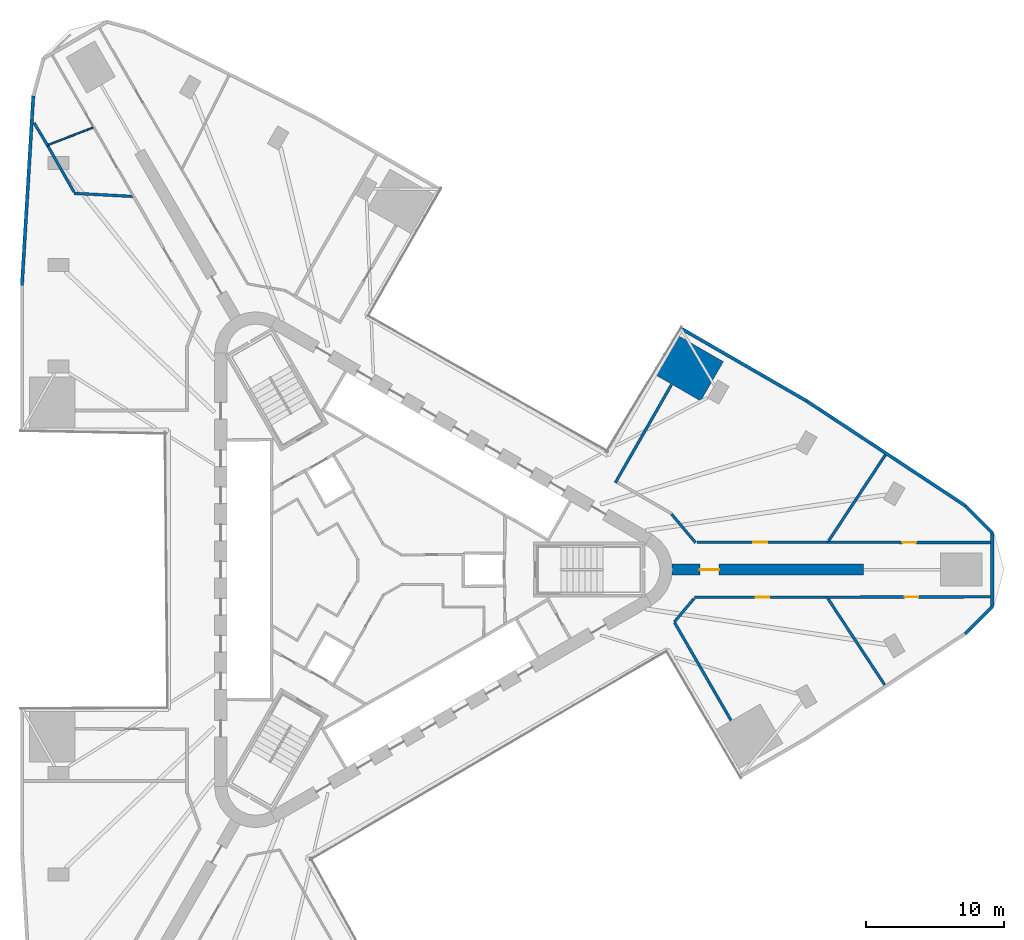
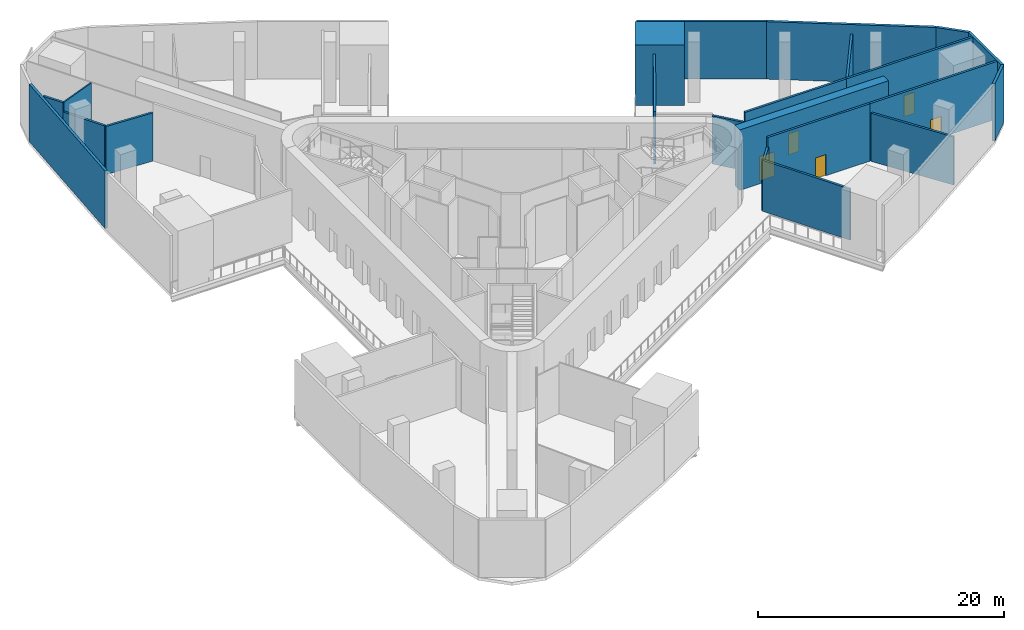
# One storey, part 7 of 11: 22 walls, 5 doors, 5 openings.
"""IFC4 building model written with IfcOpenShell, lengths in metres."""

from ifc_helpers import new_model, si_unit, direction, frame, frame_2d, origin, place, context, subcontext, project, spatial, polyline, rectangle, outline, extrude, material, layer, layer_set, type_object, element, fill, save


model = new_model("IFC4")

# Units and contexts
model_context = context("Model", 3, precision=1e-05, world=origin(), true_north=direction((0.0, 1.0)))
body_context = subcontext(model_context, "Body", "Model", "MODEL_VIEW")
ifc_project = project(units=[si_unit("LENGTHUNIT", "METRE"), si_unit("AREAUNIT", "SQUARE_METRE"), si_unit("VOLUMEUNIT", "CUBIC_METRE"), si_unit("PLANEANGLEUNIT", "RADIAN"), si_unit("MASSUNIT", "GRAM", prefix="KILO")], contexts=[model_context])

# Site, building, storey
site_placement = place(None, origin())
site = spatial("IfcSite", under=ifc_project, at=site_placement, CompositionType="ELEMENT")
building_placement = place(site_placement, origin())
building = spatial("IfcBuilding", under=site, at=building_placement, Name="Tanit Gate Tower", CompositionType="ELEMENT")
storey_placement = place(building_placement, frame((0.0, 0.0, 27.5)))
storey = spatial("IfcBuildingStorey", under=building, at=storey_placement, Name="L04", CompositionType="ELEMENT", Elevation=27.5)

# Wall, opening, door
ifc_material_1 = material(Name="Concrete C60/75", Category="concrete")
ifc_layer_1 = layer(ifc_material_1, 0.800048828125)
ifc_layer_set_1 = layer_set([ifc_layer_1], Name="BUTTRESS FIN 800 C60/75")
wall_type_1 = type_object("IfcWallType", Name="BUTTRESS FIN 800 C60/75", PredefinedType="SHEAR", material=ifc_layer_set_1)
wall_1_placement = place(storey_placement, frame((21.14990234375, 0.0, 0.0), z_axis=(0.0, 0.0, 1.0), x_axis=(1.0, 0.0, 0.0)))
wall_1 = element("IfcWall", 1, at=wall_1_placement, inside=storey, type_object=wall_type_1, Name="BUTTRESS FIN", PredefinedType="SHEAR", context=body_context, shape_type="SweptSolid", body=[
    extrude(rectangle(XDim=13.9541015625, YDim=0.800048828125, at=frame_2d((6.97705078125, 0.0))), origin(), (0.0, 0.0, 1.0), 6.0),
])
opening_1_placement = place(wall_1_placement, frame((2.050048828125, 0.0, 0.0)))
opening_1 = element("IfcOpeningElement", 2, at=opening_1_placement, cuts=wall_1, Name="Opening P14-04-F-E-1", PredefinedType="OPENING", context=body_context, shape_type="SweptSolid", body=[
    extrude(rectangle(XDim=1.39990234375, YDim=2.39990234375, at=frame_2d((0.699951171875, 1.199951171875))), frame((0.0, 0.41015625, 0.0), z_axis=(0.0, -1.0, 0.0), x_axis=(1.0, 0.0, 0.0)), (0.0, 0.0, 1.0), 0.820068359375),
])
ifc_material_2 = material(Name="Timber door leaf", Category="wood")
door_type_1 = type_object("IfcDoorType", Name="INT-DOOR-FIN-PAIR-1400", OperationType="NOTDEFINED", PredefinedType="NOTDEFINED", material=ifc_material_2)
door_1_placement = place(opening_1_placement, origin())
door_1 = element("IfcDoor", 3, at=door_1_placement, inside=storey, type_object=door_type_1, Name="Door P14-04-F-E-1", OperationType="DOUBLE_DOOR_SINGLE_SWING", OverallHeight=2.39990234375, OverallWidth=1.39990234375, PredefinedType="NOTDEFINED", context=body_context, shape_type="SweptSolid", body=[
    extrude(rectangle(XDim=1.39990234375, YDim=2.39990234375, at=frame_2d((0.699951171875, 1.199951171875))), frame((0.0, 0.02490234375, 0.0), z_axis=(0.0, -1.0, 0.0), x_axis=(1.0, 0.0, 0.0)), (0.0, 0.0, 1.0), 0.050048828125),
])
fill(opening_1, door_1)

# Walls
ifc_material_3 = material(Name="Concrete C30/37 with bronze anodised aluminium cladding", Category="concrete")
ifc_layer_2 = layer(ifc_material_3, 0.239990234375)
ifc_layer_set_2 = layer_set([ifc_layer_2], Name="Facade wall bronze clad 240")
wall_type_2 = type_object("IfcWallType", Name="Facade wall bronze clad 240", PredefinedType="SOLIDWALL", material=ifc_layer_set_2)
wall_2_placement = place(storey_placement, frame((42.4873046875, 4.665771484375, 0.0), z_axis=(0.0, 0.0, 1.0), x_axis=(-0.834569880428, 0.550902091739, 0.0)))
element("IfcWall", 4, at=wall_2_placement, inside=storey, type_object=wall_type_2, Name="Bronze-clad facade wall L04 NE1", PredefinedType="SOLIDWALL", context=body_context, shape_type="SweptSolid", body=[
    extrude(rectangle(XDim=13.801513671875, YDim=0.239990234375, at=frame_2d((6.90087890625, 0.0))), origin(), (0.0, 0.0, 1.0), 5.699951171875),
])
wall_3_placement = place(storey_placement, frame((30.968994140625, 12.26904296875, 0.0), z_axis=(0.0, 0.0, 1.0), x_axis=(-0.86605207128, 0.499953807697, 0.0)))
element("IfcWall", 5, at=wall_3_placement, inside=storey, type_object=wall_type_2, Name="Bronze-clad facade wall L04 NE2a", PredefinedType="SOLIDWALL", context=body_context, shape_type="SweptSolid", body=[
    extrude(rectangle(XDim=10.56591796875, YDim=0.239990234375, at=frame_2d((5.282958984375, 0.0))), origin(), (0.0, 0.0, 1.0), 5.699951171875),
])
wall_4_placement = place(storey_placement, frame((-25.284423828125, 34.462158203125, 0.0), z_axis=(0.0, 0.0, 1.0), x_axis=(-0.059807686217, -0.998209918138, 0.0)))
element("IfcWall", 6, at=wall_4_placement, inside=storey, type_object=wall_type_2, Name="Bronze-clad facade wall L04 W1", PredefinedType="SOLIDWALL", context=body_context, shape_type="SweptSolid", body=[
    extrude(rectangle(XDim=13.801513671875, YDim=0.239990234375, at=frame_2d((6.90087890625, 0.0))), origin(), (0.0, 0.0, 1.0), 5.699951171875),
])
wall_5_placement = place(storey_placement, frame((42.4873046875, -4.665771484375, 0.0), z_axis=(0.0, 0.0, 1.0), x_axis=(0.707106781187, 0.707106781187, 0.0)))
element("IfcWall", 7, at=wall_5_placement, inside=storey, type_object=wall_type_2, Name="Bronze-clad facade wall L04 E.arc1", PredefinedType="SOLIDWALL", context=body_context, shape_type="SweptSolid", body=[
    extrude(rectangle(XDim=2.800537109375, YDim=0.239990234375, at=frame_2d((1.400390625, 0.0))), origin(), (0.0, 0.0, 1.0), 5.699951171875),
])
wall_6_placement = place(storey_placement, frame((44.467529296875, -2.685546875, 0.0), z_axis=(0.0, 0.0, 1.0), x_axis=(0.0, 1.0, 0.0)))
element("IfcWall", 8, at=wall_6_placement, inside=storey, type_object=wall_type_2, Name="Bronze-clad facade wall L04 E.arc2", PredefinedType="SOLIDWALL", context=body_context, shape_type="SweptSolid", body=[
    extrude(rectangle(XDim=5.37109375, YDim=0.239990234375, at=frame_2d((2.685546875, 0.0))), origin(), (0.0, 0.0, 1.0), 5.699951171875),
])
wall_7_placement = place(storey_placement, frame((44.467529296875, 2.685546875, 0.0), z_axis=(0.0, 0.0, 1.0), x_axis=(-0.707106781187, 0.707106781187, 0.0)))
element("IfcWall", 9, at=wall_7_placement, inside=storey, type_object=wall_type_2, Name="Bronze-clad facade wall L04 E.arc3", PredefinedType="SOLIDWALL", context=body_context, shape_type="SweptSolid", body=[
    extrude(rectangle(XDim=2.800537109375, YDim=0.239990234375, at=frame_2d((1.400390625, 0.0))), origin(), (0.0, 0.0, 1.0), 5.699951171875),
])
ifc_material_4 = material(Name="Fire-rated gypsum board partition")
ifc_layer_3 = layer(ifc_material_4, 0.199951171875)
ifc_layer_set_3 = layer_set([ifc_layer_3], Name="INT-WALL-COMPARTMENT")
wall_type_3 = type_object("IfcWallType", Name="INT-WALL-COMPARTMENT", PredefinedType="PARTITIONING", material=ifc_layer_set_3)
wall_8_placement = place(storey_placement, frame((-24.242919921875, 30.849609375, 0.0), z_axis=(0.0, 0.0, 1.0), x_axis=(-0.513501792003, 0.858088520847, 0.0)))
element("IfcWall", 10, at=wall_8_placement, inside=storey, type_object=wall_type_3, Name="Wall Compartment W099", PredefinedType="PARTITIONING", context=body_context, shape_type="SweptSolid", body=[
    extrude(rectangle(XDim=1.9150390625, YDim=0.199951171875, at=frame_2d((0.95751953125, 0.0))), origin(), (0.0, 0.0, 1.0), 5.699951171875),
])
wall_9_placement = place(storey_placement, frame((-18.051025390625, 27.14501953125, 0.0), z_axis=(0.0, 0.0, 1.0), x_axis=(-0.998602334655, 0.052852409802, 0.0)))
element("IfcWall", 11, at=wall_9_placement, inside=storey, type_object=wall_type_3, Name="Wall Compartment W100", PredefinedType="PARTITIONING", context=body_context, shape_type="SweptSolid", body=[
    extrude(rectangle(XDim=4.27734375, YDim=0.199951171875, at=frame_2d((2.138671875, 0.0))), origin(), (0.0, 0.0, 1.0), 4.780029296875),
])
wall_10_placement = place(storey_placement, frame((-22.326416015625, 27.471435546875, 0.0), z_axis=(0.0, 0.0, 1.0), x_axis=(-0.493442320744, 0.869778521291, 0.0)))
element("IfcWall", 12, at=wall_10_placement, inside=storey, type_object=wall_type_3, Name="Wall Compartment W101", PredefinedType="PARTITIONING", context=body_context, shape_type="SweptSolid", body=[
    extrude(rectangle(XDim=3.884033203125, YDim=0.199951171875, at=frame_2d((1.94189453125, 0.0))), origin(), (0.0, 0.0, 1.0), 4.780029296875),
])

# Wall, opening, door
wall_11_placement = place(storey_placement, frame((32.4921875, 1.999755859375, 0.0), z_axis=(0.0, 0.0, 1.0), x_axis=(0.999997146718, -0.002388839742, 0.0)))
wall_11 = element("IfcWall", 13, at=wall_11_placement, inside=storey, type_object=wall_type_3, Name="Wall Compartment W103", PredefinedType="PARTITIONING", context=body_context, shape_type="SweptSolid", body=[
    extrude(rectangle(XDim=11.855224609375, YDim=0.199951171875, at=frame_2d((5.927734375, 0.0))), origin(), (0.0, 0.0, 1.0), 5.699951171875),
])
opening_2_placement = place(wall_11_placement, frame((5.42138671875, 0.0, 0.0)))
opening_2 = element("IfcOpeningElement", 14, at=opening_2_placement, cuts=wall_11, Name="Opening F10-04-19", PredefinedType="OPENING", context=body_context, shape_type="SweptSolid", body=[
    extrude(rectangle(XDim=1.0, YDim=2.10009765625, at=frame_2d((0.5, 1.050048828125))), frame((0.0, 0.10986328125, 0.0), z_axis=(0.0, -1.0, 0.0), x_axis=(1.0, 0.0, 0.0)), (0.0, 0.0, 1.0), 0.219970703125),
])
ifc_material_5 = material(Name="Fire-rated steel door leaf", Category="steel")
door_type_2 = type_object("IfcDoorType", Name="INT-DOOR-FIRE-1000", OperationType="NOTDEFINED", PredefinedType="USERDEFINED", material=ifc_material_5)
door_2_placement = place(opening_2_placement, origin())
door_2 = element("IfcDoor", 15, at=door_2_placement, inside=storey, type_object=door_type_2, Name="Door F10-04-19", ObjectType="FIRE DOOR", OperationType="SINGLE_SWING_LEFT", OverallHeight=2.10009765625, OverallWidth=1.0, PredefinedType="USERDEFINED", context=body_context, shape_type="SweptSolid", body=[
    extrude(rectangle(XDim=1.0, YDim=2.10009765625, at=frame_2d((0.5, 1.050048828125))), frame((0.0, 0.02490234375, 0.0), z_axis=(0.0, -1.0, 0.0), x_axis=(1.0, 0.0, 0.0)), (0.0, 0.0, 1.0), 0.050048828125),
])
fill(opening_2, door_2)

# Walls
wall_12_placement = place(storey_placement, frame((17.047607421875, 6.323486328125, 0.0), z_axis=(0.0, 0.0, 1.0), x_axis=(0.496629236268, 0.86796278819, 0.0)))
element("IfcWall", 16, at=wall_12_placement, inside=storey, type_object=wall_type_3, Name="Wall Compartment W104", PredefinedType="PARTITIONING", context=body_context, shape_type="SweptSolid", body=[
    extrude(rectangle(XDim=8.203369140625, YDim=0.199951171875, at=frame_2d((4.1015625, 0.0))), origin(), (0.0, 0.0, 1.0), 5.169921875),
])
wall_13_placement = place(storey_placement, frame((22.87841796875, 1.96435546875, 0.0), z_axis=(0.0, 0.0, 1.0), x_axis=(-0.642859908207, 0.765983771643, 0.0)))
element("IfcWall", 17, at=wall_13_placement, inside=storey, type_object=wall_type_3, Name="Wall Compartment W106", PredefinedType="PARTITIONING", context=body_context, shape_type="SweptSolid", body=[
    extrude(rectangle(XDim=2.70654296875, YDim=0.199951171875, at=frame_2d((1.353271484375, 0.0))), origin(), (0.0, 0.0, 1.0), 4.780029296875),
])

# Wall, opening, door
wall_14_placement = place(storey_placement, frame((22.97900390625, 2.0, 0.0), z_axis=(0.0, 0.0, 1.0), x_axis=(1.0, 0.0, 0.0)))
wall_14 = element("IfcWall", 18, at=wall_14_placement, inside=storey, type_object=wall_type_3, Name="Wall Compartment W107", PredefinedType="PARTITIONING", context=body_context, shape_type="SweptSolid", body=[
    extrude(rectangle(XDim=9.51318359375, YDim=0.199951171875, at=frame_2d((4.756591796875, 0.0))), origin(), (0.0, 0.0, 1.0), 5.699951171875),
])
opening_3_placement = place(wall_14_placement, frame((4.099609375, 0.0, 0.0)))
opening_3 = element("IfcOpeningElement", 19, at=opening_3_placement, cuts=wall_14, Name="Opening F10-04-20", PredefinedType="OPENING", context=body_context, shape_type="SweptSolid", body=[
    extrude(rectangle(XDim=1.0, YDim=2.10009765625, at=frame_2d((0.5, 1.050048828125))), frame((0.0, 0.10986328125, 0.0), z_axis=(0.0, -1.0, 0.0), x_axis=(1.0, 0.0, 0.0)), (0.0, 0.0, 1.0), 0.219970703125),
])
door_3_placement = place(opening_3_placement, origin())
door_3 = element("IfcDoor", 20, at=door_3_placement, inside=storey, type_object=door_type_2, Name="Door F10-04-20", ObjectType="FIRE DOOR", OperationType="SINGLE_SWING_RIGHT", OverallHeight=2.10009765625, OverallWidth=1.0, PredefinedType="USERDEFINED", context=body_context, shape_type="SweptSolid", body=[
    extrude(rectangle(XDim=1.0, YDim=2.10009765625, at=frame_2d((0.5, 1.050048828125))), frame((0.0, 0.02490234375, 0.0), z_axis=(0.0, -1.0, 0.0), x_axis=(1.0, 0.0, 0.0)), (0.0, 0.0, 1.0), 0.050048828125),
])
fill(opening_3, door_3)

# Wall
wall_15_placement = place(storey_placement, frame((32.560791015625, 2.099853515625, 0.0), z_axis=(0.0, 0.0, 1.0), x_axis=(0.550900824842, 0.834570716709, 0.0)))
element("IfcWall", 21, at=wall_15_placement, inside=storey, type_object=wall_type_3, Name="Wall Compartment W114", PredefinedType="PARTITIONING", context=body_context, shape_type="SweptSolid", body=[
    extrude(rectangle(XDim=7.485107421875, YDim=0.199951171875, at=frame_2d((3.74267578125, 0.0))), origin(), (0.0, 0.0, 1.0), 4.780029296875),
])

# Wall, opening, door
wall_16_placement = place(storey_placement, frame((32.374755859375, -2.0, 0.0), z_axis=(0.0, 0.0, 1.0), x_axis=(-1.0, 0.0, 0.0)))
wall_16 = element("IfcWall", 22, at=wall_16_placement, inside=storey, type_object=wall_type_3, Name="Wall Compartment W121", PredefinedType="PARTITIONING", context=body_context, shape_type="SweptSolid", body=[
    extrude(rectangle(XDim=9.57275390625, YDim=0.199951171875, at=frame_2d((4.786376953125, 0.0))), origin(), (0.0, 0.0, 1.0), 5.699951171875),
])
opening_4_placement = place(wall_16_placement, frame((4.126708984375, 0.0, 0.0)))
opening_4 = element("IfcOpeningElement", 23, at=opening_4_placement, cuts=wall_16, Name="Opening F10-04-26", PredefinedType="OPENING", context=body_context, shape_type="SweptSolid", body=[
    extrude(rectangle(XDim=1.0, YDim=2.10009765625, at=frame_2d((0.5, 1.050048828125))), frame((0.0, 0.10986328125, 0.0), z_axis=(0.0, -1.0, 0.0), x_axis=(1.0, 0.0, 0.0)), (0.0, 0.0, 1.0), 0.219970703125),
])
door_4_placement = place(opening_4_placement, origin())
door_4 = element("IfcDoor", 24, at=door_4_placement, inside=storey, type_object=door_type_2, Name="Door F10-04-26", ObjectType="FIRE DOOR", OperationType="SINGLE_SWING_RIGHT", OverallHeight=2.10009765625, OverallWidth=1.0, PredefinedType="USERDEFINED", context=body_context, shape_type="SweptSolid", body=[
    extrude(rectangle(XDim=1.0, YDim=2.10009765625, at=frame_2d((0.5, 1.050048828125))), frame((0.0, 0.02490234375, 0.0), z_axis=(0.0, -1.0, 0.0), x_axis=(1.0, 0.0, 0.0)), (0.0, 0.0, 1.0), 0.050048828125),
])
fill(opening_4, door_4)

# Walls
wall_17_placement = place(storey_placement, frame((21.33154296875, -3.807373046875, 0.0), z_axis=(0.0, 0.0, 1.0), x_axis=(0.642927476008, 0.765927059578, 0.0)))
element("IfcWall", 25, at=wall_17_placement, inside=storey, type_object=wall_type_3, Name="Wall Compartment W122", PredefinedType="PARTITIONING", context=body_context, shape_type="SweptSolid", body=[
    extrude(rectangle(XDim=2.22900390625, YDim=0.199951171875, at=frame_2d((1.114501953125, 0.0))), origin(), (0.0, 0.0, 1.0), 4.780029296875),
])
wall_18_placement = place(storey_placement, frame((25.45166015625, -10.943603515625, 0.0), z_axis=(0.0, 0.0, 1.0), x_axis=(-0.499992958048, 0.866029469419, 0.0)))
element("IfcWall", 26, at=wall_18_placement, inside=storey, type_object=wall_type_3, Name="Wall Compartment W123", PredefinedType="PARTITIONING", context=body_context, shape_type="SweptSolid", body=[
    extrude(rectangle(XDim=8.203125, YDim=0.199951171875, at=frame_2d((4.1015625, 0.0))), origin(), (0.0, 0.0, 1.0), 5.070068359375),
])

# Wall, opening, door
wall_19_placement = place(storey_placement, frame((44.347412109375, -1.971435546875, 0.0), z_axis=(0.0, 0.0, 1.0), x_axis=(-0.999997105116, -0.002406192056, 0.0)))
wall_19 = element("IfcWall", 27, at=wall_19_placement, inside=storey, type_object=wall_type_3, Name="Wall Compartment W124", PredefinedType="PARTITIONING", context=body_context, shape_type="SweptSolid", body=[
    extrude(rectangle(XDim=11.97265625, YDim=0.199951171875, at=frame_2d((5.986328125, 0.0))), origin(), (0.0, 0.0, 1.0), 5.699951171875),
])
opening_5_placement = place(wall_19_placement, frame((5.266845703125, 0.0, 0.0)))
opening_5 = element("IfcOpeningElement", 28, at=opening_5_placement, cuts=wall_19, Name="Opening F10-04-27", PredefinedType="OPENING", context=body_context, shape_type="SweptSolid", body=[
    extrude(rectangle(XDim=1.0, YDim=2.10009765625, at=frame_2d((0.5, 1.050048828125))), frame((0.0, 0.10986328125, 0.0), z_axis=(0.0, -1.0, 0.0), x_axis=(1.0, 0.0, 0.0)), (0.0, 0.0, 1.0), 0.219970703125),
])
door_5_placement = place(opening_5_placement, origin())
door_5 = element("IfcDoor", 29, at=door_5_placement, inside=storey, type_object=door_type_2, Name="Door F10-04-27", ObjectType="FIRE DOOR", OperationType="SINGLE_SWING_LEFT", OverallHeight=2.10009765625, OverallWidth=1.0, PredefinedType="USERDEFINED", context=body_context, shape_type="SweptSolid", body=[
    extrude(rectangle(XDim=1.0, YDim=2.10009765625, at=frame_2d((0.5, 1.050048828125))), frame((0.0, 0.02490234375, 0.0), z_axis=(0.0, -1.0, 0.0), x_axis=(1.0, 0.0, 0.0)), (0.0, 0.0, 1.0), 0.050048828125),
])
fill(opening_5, door_5)

# Walls
wall_20_placement = place(storey_placement, frame((36.633544921875, -8.37841796875, 0.0), z_axis=(0.0, 0.0, 1.0), x_axis=(-0.549584280898, 0.835438279102, 0.0)))
element("IfcWall", 30, at=wall_20_placement, inside=storey, type_object=wall_type_3, Name="Wall Compartment W126", PredefinedType="PARTITIONING", context=body_context, shape_type="SweptSolid", body=[
    extrude(rectangle(XDim=7.514892578125, YDim=0.199951171875, at=frame_2d((3.75732421875, 0.0))), origin(), (0.0, 0.0, 1.0), 4.780029296875),
])
ifc_material_6 = material(Name="Gypsum board partition")
ifc_layer_4 = layer(ifc_material_6, 0.1201171875)
ifc_layer_set_4 = layer_set([ifc_layer_4], Name="INT-WALL-PARTITION")
wall_type_4 = type_object("IfcWallType", Name="INT-WALL-PARTITION", PredefinedType="PARTITIONING", material=ifc_layer_set_4)
wall_21_placement = place(storey_placement, frame((-20.939453125, 32.1484375, 0.0), z_axis=(0.0, 0.0, 1.0), x_axis=(-0.933648957611, -0.358189368841, 0.0)))
element("IfcWall", 31, at=wall_21_placement, inside=storey, type_object=wall_type_4, Name="Wall Partition W098", PredefinedType="PARTITIONING", context=body_context, shape_type="SweptSolid", body=[
    extrude(rectangle(XDim=3.58447265625, YDim=0.1201171875, at=frame_2d((1.792236328125, 0.0))), origin(), (0.0, 0.0, 1.0), 5.699951171875),
])
ifc_material_7 = material(Name="Concrete C60/75", Category="concrete")
ifc_layer_5 = layer(ifc_material_7, 4.0)
ifc_layer_set_5 = layer_set([ifc_layer_5], Name="PIER WALL 4000 C60/75")
wall_type_5 = type_object("IfcWallType", Name="PIER WALL 4000 C60/75", PredefinedType="SHEAR", material=ifc_layer_set_5)
wall_22_placement = place(storey_placement, origin())
element("IfcWall", 32, at=wall_22_placement, inside=storey, type_object=wall_type_5, Name="PIER WALL", PredefinedType="SHEAR", context=body_context, shape_type="SweptSolid", body=[
    extrude(outline(polyline([(24.901123046875, 15.1298828125), (21.43701171875, 17.1298828125), (19.787109375, 14.27197265625), (23.251220703125, 12.27197265625), (24.901123046875, 15.1298828125)])), origin(), (0.0, 0.0, 1.0), 6.0),
])

save(model, "model.ifc")
